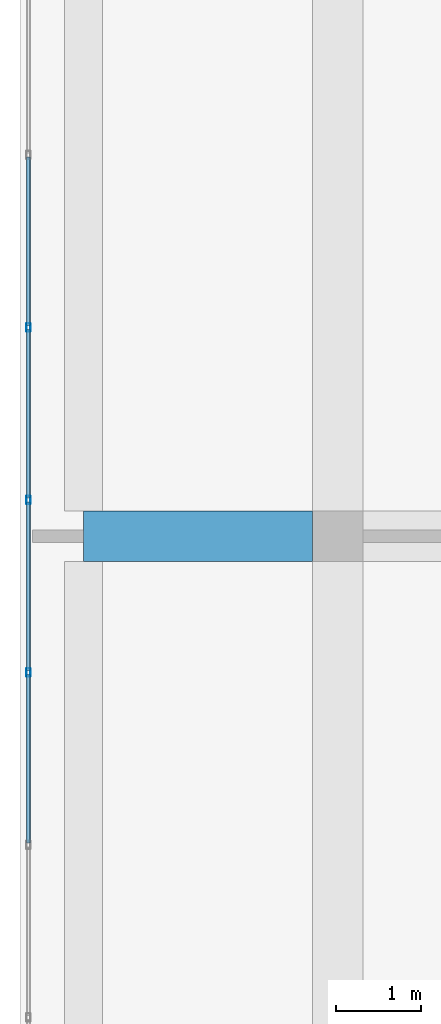
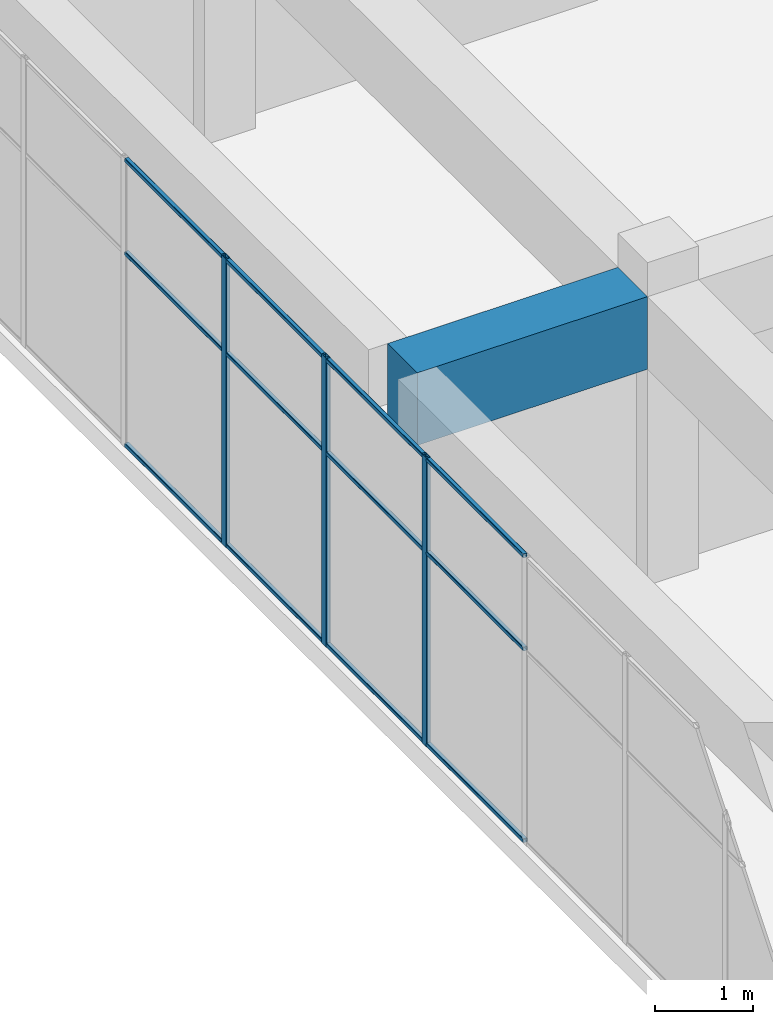
# One storey, part 10 of 35: 15 members, 1 beam, 1 element without a shape of its own.
"""IFC4 building model written with IfcOpenShell, lengths in metres."""

from ifc_helpers import new_model, si_unit, direction, frame, origin, origin_2d, place, context, subcontext, project, spatial, rectangle, hollow_rectangle, extrude, material, layer, layer_set, material_profile, profile_set, type_object, element, aggregate, save


model = new_model("IFC4")

# Units and contexts
model_context = context("Model", 3, precision=1e-05, world=origin(), true_north=direction((0.0, 1.0)))
body_context = subcontext(model_context, "Body", "Model", "MODEL_VIEW")
ifc_project = project(units=[si_unit("LENGTHUNIT", "METRE"), si_unit("AREAUNIT", "SQUARE_METRE"), si_unit("VOLUMEUNIT", "CUBIC_METRE"), si_unit("PLANEANGLEUNIT", "RADIAN"), si_unit("MASSUNIT", "GRAM", prefix="KILO")], contexts=[model_context])

# Site, building, storey
site_placement = place(None, origin())
site = spatial("IfcSite", under=ifc_project, at=site_placement, CompositionType="ELEMENT")
building_placement = place(site_placement, origin())
building = spatial("IfcBuilding", under=site, at=building_placement, Name="Tuart Plaza Theatre", CompositionType="ELEMENT")
storey_placement = place(building_placement, frame((0.0, 0.0, 49.5)))
storey = spatial("IfcBuildingStorey", under=building, at=storey_placement, Name="L12", CompositionType="ELEMENT", Elevation=49.5)

# Beam
ifc_material_1 = material(Name="Concrete N40 (40 MPa)", Category="concrete")
ifc_material_profile_1 = material_profile(ifc_material_1, rectangle(XDim=0.60009765625, YDim=0.89990234375, at=origin_2d()), Name="BEAM 600x900 Concrete N40 (40 MPa)")
ifc_profile_set_1 = profile_set([ifc_material_profile_1], Name="Concrete N40 (40 MPa)")
beam_type = type_object("IfcBeamType", Name="BEAM 600x900 Concrete N40 (40 MPa)", PredefinedType="BEAM", material=ifc_profile_set_1)
beam_placement = place(storey_placement, frame((111.0, 74.0, 3.1298828125), z_axis=(1.0, 0.0, 0.0), x_axis=(0.0, 1.0, 0.0)))
element("IfcBeam", 1, at=beam_placement, inside=storey, type_object=beam_type, Name="RB285", PredefinedType="BEAM", context=body_context, shape_type="SweptSolid", body=[
    extrude(rectangle(XDim=0.60009765625, YDim=0.89990234375, at=origin_2d()), origin(), (0.0, 0.0, 1.0), 2.699951171875),
])

# Curtain wall, members
ifc_material_2 = material(Name="Aluminium and glass", Category="aluminium")
ifc_layer = layer(ifc_material_2, 0.10009765625)
ifc_layer_set = layer_set([ifc_layer], Name="CURTAIN WALL 2000 module")
curtain_wall_type = type_object("IfcCurtainWallType", Name="CURTAIN WALL 2000 module", PredefinedType="NOTDEFINED", material=ifc_layer_set)
curtain_wall_placement = place(storey_placement, origin())
curtain_wall = element("IfcCurtainWall", 2, at=curtain_wall_placement, inside=storey, type_object=curtain_wall_type, Name="CW106", PredefinedType="NOTDEFINED")
ifc_material_3 = material(Name="Aluminium 6063-T5", Category="aluminium")
ifc_material_profile_2 = material_profile(ifc_material_3, hollow_rectangle(XDim=0.050048828125, YDim=0.10009765625, WallThickness=0.00390625, InnerFilletRadius=0.00390625, OuterFilletRadius=0.008056640625, at=origin_2d()), Name="RHS 100x50x4")
ifc_profile_set_2 = profile_set([ifc_material_profile_2], Name="Aluminium 6063-T5")
member_type_1 = type_object("IfcMemberType", Name="MULLION RHS 100x50x4", PredefinedType="MULLION", material=ifc_profile_set_2)
member_1_placement = place(storey_placement, frame((110.35009765625, 76.46435546875, 0.0), z_axis=(0.0, 0.0, 1.0), x_axis=(1.0, 0.0, 0.0)))
member_1 = element("IfcMember", 3, at=member_1_placement, type_object=member_type_1, Name="CW106 mullion 9", PredefinedType="MULLION", context=body_context, shape_type="SweptSolid", body=[
    extrude(hollow_rectangle(XDim=0.050048828125, YDim=0.10009765625, WallThickness=0.00390625, InnerFilletRadius=0.00390625, OuterFilletRadius=0.008056640625, at=origin_2d()), origin(), (0.0, 0.0, 1.0), 3.580078125),
])
member_2_placement = place(storey_placement, frame((110.35009765625, 74.428466796875, 0.0), z_axis=(0.0, 0.0, 1.0), x_axis=(1.0, 0.0, 0.0)))
member_2 = element("IfcMember", 4, at=member_2_placement, type_object=member_type_1, Name="CW106 mullion 10", PredefinedType="MULLION", context=body_context, shape_type="SweptSolid", body=[
    extrude(hollow_rectangle(XDim=0.050048828125, YDim=0.10009765625, WallThickness=0.00390625, InnerFilletRadius=0.00390625, OuterFilletRadius=0.008056640625, at=origin_2d()), origin(), (0.0, 0.0, 1.0), 3.580078125),
])
member_3_placement = place(storey_placement, frame((110.35009765625, 72.392822265625, 0.0), z_axis=(0.0, 0.0, 1.0), x_axis=(1.0, 0.0, 0.0)))
member_3 = element("IfcMember", 5, at=member_3_placement, type_object=member_type_1, Name="CW106 mullion 11", PredefinedType="MULLION", context=body_context, shape_type="SweptSolid", body=[
    extrude(hollow_rectangle(XDim=0.050048828125, YDim=0.10009765625, WallThickness=0.00390625, InnerFilletRadius=0.00390625, OuterFilletRadius=0.008056640625, at=origin_2d()), origin(), (0.0, 0.0, 1.0), 3.580078125),
])
ifc_material_4 = material(Name="Aluminium 6063-T5", Category="aluminium")
ifc_material_profile_3 = material_profile(ifc_material_4, hollow_rectangle(XDim=0.050048828125, YDim=0.050048828125, WallThickness=0.00390625, InnerFilletRadius=0.00390625, OuterFilletRadius=0.008056640625, at=origin_2d()), Name="RHS 50x50x4")
ifc_profile_set_3 = profile_set([ifc_material_profile_3], Name="Aluminium 6063-T5")
member_type_2 = type_object("IfcMemberType", Name="TRANSOM RHS 50x50x4", PredefinedType="USERDEFINED", material=ifc_profile_set_3)
member_4_placement = place(storey_placement, frame((110.35009765625, 78.47509765625, 0.02490234375), z_axis=(0.0, -1.0, 0.0), x_axis=(1.0, 0.0, 0.0)))
member_4 = element("IfcMember", 6, at=member_4_placement, type_object=member_type_2, Name="CW106 transom 8.1", ObjectType="TRANSOM", PredefinedType="USERDEFINED", context=body_context, shape_type="SweptSolid", body=[
    extrude(hollow_rectangle(XDim=0.050048828125, YDim=0.050048828125, WallThickness=0.00390625, InnerFilletRadius=0.00390625, OuterFilletRadius=0.008056640625, at=origin_2d()), origin(), (0.0, 0.0, 1.0), 1.98583984375),
])
member_5_placement = place(storey_placement, frame((110.35009765625, 78.47509765625, 2.39990234375), z_axis=(0.0, -1.0, 0.0), x_axis=(1.0, 0.0, 0.0)))
member_5 = element("IfcMember", 7, at=member_5_placement, type_object=member_type_2, Name="CW106 transom 8.2", ObjectType="TRANSOM", PredefinedType="USERDEFINED", context=body_context, shape_type="SweptSolid", body=[
    extrude(hollow_rectangle(XDim=0.050048828125, YDim=0.050048828125, WallThickness=0.00390625, InnerFilletRadius=0.00390625, OuterFilletRadius=0.008056640625, at=origin_2d()), origin(), (0.0, 0.0, 1.0), 1.98583984375),
])
member_6_placement = place(storey_placement, frame((110.35009765625, 78.47509765625, 3.554931640625), z_axis=(0.0, -1.0, 0.0), x_axis=(1.0, 0.0, 0.0)))
member_6 = element("IfcMember", 8, at=member_6_placement, type_object=member_type_2, Name="CW106 transom 8.3", ObjectType="TRANSOM", PredefinedType="USERDEFINED", context=body_context, shape_type="SweptSolid", body=[
    extrude(hollow_rectangle(XDim=0.050048828125, YDim=0.050048828125, WallThickness=0.00390625, InnerFilletRadius=0.00390625, OuterFilletRadius=0.008056640625, at=origin_2d()), origin(), (0.0, 0.0, 1.0), 1.98583984375),
])
member_7_placement = place(storey_placement, frame((110.35009765625, 76.439208984375, 0.02490234375), z_axis=(0.0, -1.0, 0.0), x_axis=(1.0, 0.0, 0.0)))
member_7 = element("IfcMember", 9, at=member_7_placement, type_object=member_type_2, Name="CW106 transom 9.1", ObjectType="TRANSOM", PredefinedType="USERDEFINED", context=body_context, shape_type="SweptSolid", body=[
    extrude(hollow_rectangle(XDim=0.050048828125, YDim=0.050048828125, WallThickness=0.00390625, InnerFilletRadius=0.00390625, OuterFilletRadius=0.008056640625, at=origin_2d()), origin(), (0.0, 0.0, 1.0), 1.985595703125),
])
member_8_placement = place(storey_placement, frame((110.35009765625, 76.439208984375, 2.39990234375), z_axis=(0.0, -1.0, 0.0), x_axis=(1.0, 0.0, 0.0)))
member_8 = element("IfcMember", 10, at=member_8_placement, type_object=member_type_2, Name="CW106 transom 9.2", ObjectType="TRANSOM", PredefinedType="USERDEFINED", context=body_context, shape_type="SweptSolid", body=[
    extrude(hollow_rectangle(XDim=0.050048828125, YDim=0.050048828125, WallThickness=0.00390625, InnerFilletRadius=0.00390625, OuterFilletRadius=0.008056640625, at=origin_2d()), origin(), (0.0, 0.0, 1.0), 1.985595703125),
])
member_9_placement = place(storey_placement, frame((110.35009765625, 76.439208984375, 3.554931640625), z_axis=(0.0, -1.0, 0.0), x_axis=(1.0, 0.0, 0.0)))
member_9 = element("IfcMember", 11, at=member_9_placement, type_object=member_type_2, Name="CW106 transom 9.3", ObjectType="TRANSOM", PredefinedType="USERDEFINED", context=body_context, shape_type="SweptSolid", body=[
    extrude(hollow_rectangle(XDim=0.050048828125, YDim=0.050048828125, WallThickness=0.00390625, InnerFilletRadius=0.00390625, OuterFilletRadius=0.008056640625, at=origin_2d()), origin(), (0.0, 0.0, 1.0), 1.985595703125),
])
member_10_placement = place(storey_placement, frame((110.35009765625, 74.403564453125, 0.02490234375), z_axis=(0.0, -1.0, 0.0), x_axis=(1.0, 0.0, 0.0)))
member_10 = element("IfcMember", 12, at=member_10_placement, type_object=member_type_2, Name="CW106 transom 10.1", ObjectType="TRANSOM", PredefinedType="USERDEFINED", context=body_context, shape_type="SweptSolid", body=[
    extrude(hollow_rectangle(XDim=0.050048828125, YDim=0.050048828125, WallThickness=0.00390625, InnerFilletRadius=0.00390625, OuterFilletRadius=0.008056640625, at=origin_2d()), origin(), (0.0, 0.0, 1.0), 1.985595703125),
])
member_11_placement = place(storey_placement, frame((110.35009765625, 74.403564453125, 2.39990234375), z_axis=(0.0, -1.0, 0.0), x_axis=(1.0, 0.0, 0.0)))
member_11 = element("IfcMember", 13, at=member_11_placement, type_object=member_type_2, Name="CW106 transom 10.2", ObjectType="TRANSOM", PredefinedType="USERDEFINED", context=body_context, shape_type="SweptSolid", body=[
    extrude(hollow_rectangle(XDim=0.050048828125, YDim=0.050048828125, WallThickness=0.00390625, InnerFilletRadius=0.00390625, OuterFilletRadius=0.008056640625, at=origin_2d()), origin(), (0.0, 0.0, 1.0), 1.985595703125),
])
member_12_placement = place(storey_placement, frame((110.35009765625, 74.403564453125, 3.554931640625), z_axis=(0.0, -1.0, 0.0), x_axis=(1.0, 0.0, 0.0)))
member_12 = element("IfcMember", 14, at=member_12_placement, type_object=member_type_2, Name="CW106 transom 10.3", ObjectType="TRANSOM", PredefinedType="USERDEFINED", context=body_context, shape_type="SweptSolid", body=[
    extrude(hollow_rectangle(XDim=0.050048828125, YDim=0.050048828125, WallThickness=0.00390625, InnerFilletRadius=0.00390625, OuterFilletRadius=0.008056640625, at=origin_2d()), origin(), (0.0, 0.0, 1.0), 1.985595703125),
])
member_13_placement = place(storey_placement, frame((110.35009765625, 72.367919921875, 0.02490234375), z_axis=(0.0, -1.0, 0.0), x_axis=(1.0, 0.0, 0.0)))
member_13 = element("IfcMember", 15, at=member_13_placement, type_object=member_type_2, Name="CW106 transom 11.1", ObjectType="TRANSOM", PredefinedType="USERDEFINED", context=body_context, shape_type="SweptSolid", body=[
    extrude(hollow_rectangle(XDim=0.050048828125, YDim=0.050048828125, WallThickness=0.00390625, InnerFilletRadius=0.00390625, OuterFilletRadius=0.008056640625, at=origin_2d()), origin(), (0.0, 0.0, 1.0), 1.98583984375),
])
member_14_placement = place(storey_placement, frame((110.35009765625, 72.367919921875, 2.39990234375), z_axis=(0.0, -1.0, 0.0), x_axis=(1.0, 0.0, 0.0)))
member_14 = element("IfcMember", 16, at=member_14_placement, type_object=member_type_2, Name="CW106 transom 11.2", ObjectType="TRANSOM", PredefinedType="USERDEFINED", context=body_context, shape_type="SweptSolid", body=[
    extrude(hollow_rectangle(XDim=0.050048828125, YDim=0.050048828125, WallThickness=0.00390625, InnerFilletRadius=0.00390625, OuterFilletRadius=0.008056640625, at=origin_2d()), origin(), (0.0, 0.0, 1.0), 1.98583984375),
])
member_15_placement = place(storey_placement, frame((110.35009765625, 72.367919921875, 3.554931640625), z_axis=(0.0, -1.0, 0.0), x_axis=(1.0, 0.0, 0.0)))
member_15 = element("IfcMember", 17, at=member_15_placement, type_object=member_type_2, Name="CW106 transom 11.3", ObjectType="TRANSOM", PredefinedType="USERDEFINED", context=body_context, shape_type="SweptSolid", body=[
    extrude(hollow_rectangle(XDim=0.050048828125, YDim=0.050048828125, WallThickness=0.00390625, InnerFilletRadius=0.00390625, OuterFilletRadius=0.008056640625, at=origin_2d()), origin(), (0.0, 0.0, 1.0), 1.98583984375),
])
aggregate(curtain_wall, [member_1, member_2, member_3, member_4, member_5, member_6, member_7, member_8, member_9, member_10, member_11, member_12, member_13, member_14, member_15])

save(model, "model.ifc")
